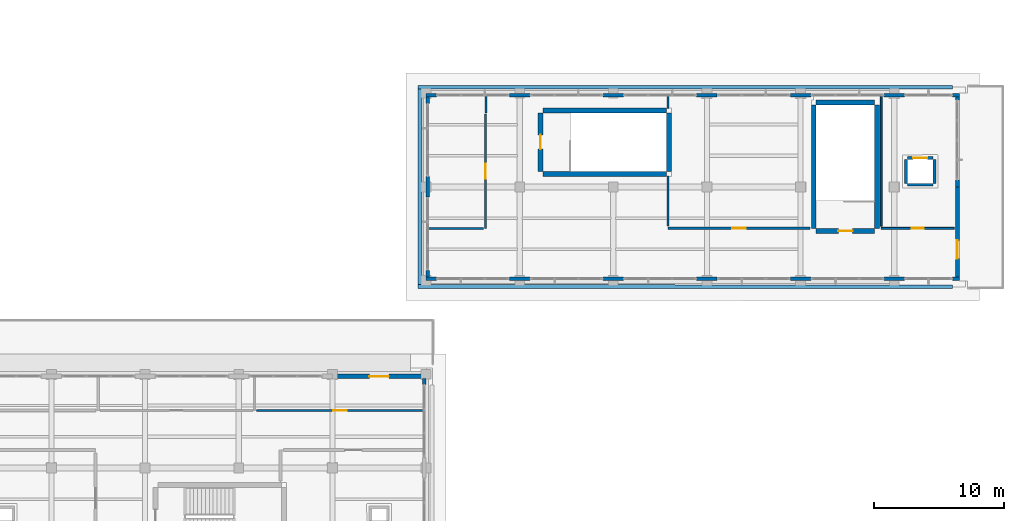
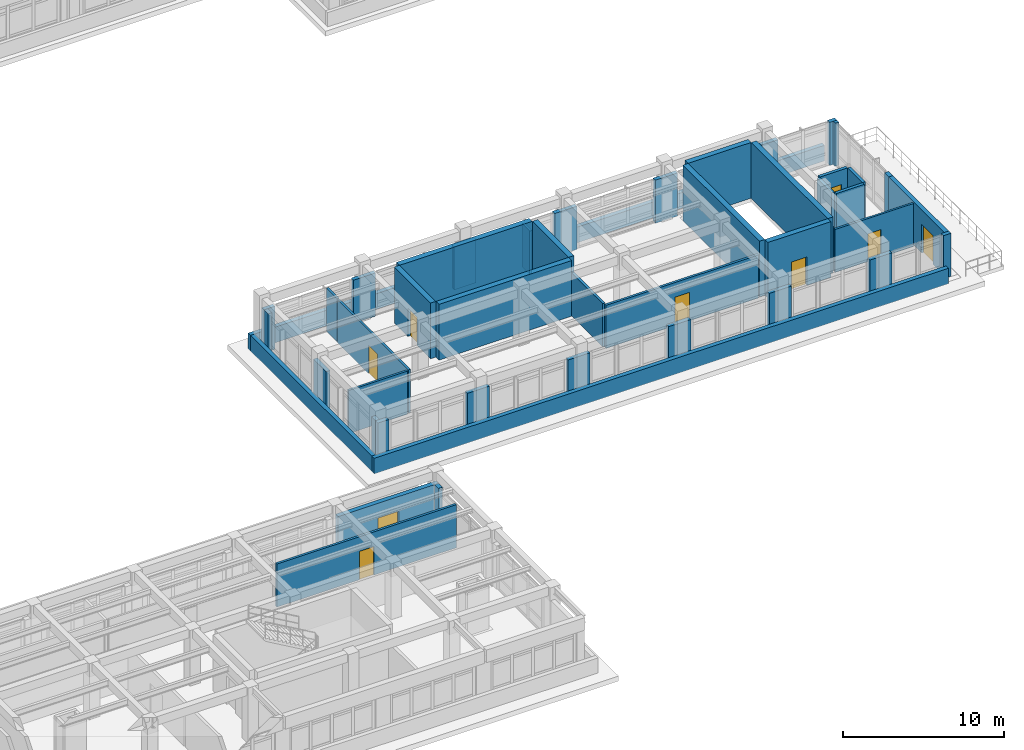
# One storey, part 48 of 64: 46 walls, 9 doors, 9 openings.
"""IFC4 building model written with IfcOpenShell, lengths in metres."""

from ifc_helpers import new_model, si_unit, direction, frame, frame_2d, origin, place, context, subcontext, project, spatial, rectangle, extrude, material, layer, layer_set, type_object, element, fill, save


model = new_model("IFC4")

# Units and contexts
model_context = context("Model", 3, precision=1e-05, world=origin(), true_north=direction((0.0, 1.0)))
body_context = subcontext(model_context, "Body", "Model", "MODEL_VIEW")
ifc_project = project(units=[si_unit("LENGTHUNIT", "METRE"), si_unit("AREAUNIT", "SQUARE_METRE"), si_unit("VOLUMEUNIT", "CUBIC_METRE"), si_unit("PLANEANGLEUNIT", "RADIAN"), si_unit("MASSUNIT", "GRAM", prefix="KILO")], contexts=[model_context])

# Site, building, storey
site_placement = place(None, origin())
site = spatial("IfcSite", under=ifc_project, at=site_placement, CompositionType="ELEMENT")
building_placement = place(site_placement, origin())
building = spatial("IfcBuilding", under=site, at=building_placement, Name="Solenvale Faculty of Natural Sciences", CompositionType="ELEMENT")
storey_placement = place(building_placement, frame((0.0, 0.0, 18.0)))
storey = spatial("IfcBuildingStorey", under=building, at=storey_placement, Name="L04", CompositionType="ELEMENT", Elevation=18.0)

# Walls
ifc_material_1 = material(Name="Architectural bronze concrete 40 MPa", Category="concrete")
ifc_layer_1 = layer(ifc_material_1, 0.300048828125)
ifc_layer_set_1 = layer_set([ifc_layer_1], Name="Architectural bronze concrete 40 MPa")
wall_type_1 = type_object("IfcWallType", Name="WL-EXT-BRZ-300", PredefinedType="STANDARD", material=ifc_layer_set_1)
wall_1_placement = place(storey_placement, frame((155.669921875, 42.72998046875, 0.0), z_axis=(0.0, 0.0, 1.0), x_axis=(-0.99999999887, 4.7533035e-05, 0.0)))
element("IfcWall", 1, at=wall_1_placement, inside=storey, type_object=wall_type_1, Name="L04 Sliding-Tray Rough Bronze Concrete Band 4", PredefinedType="PARAPET", context=body_context, shape_type="SweptSolid", body=[
    extrude(rectangle(XDim=41.08984375, YDim=0.300048828125, at=frame_2d((20.544921875, 0.0))), origin(), (0.0, 0.0, 1.0), 1.179931640625),
])
wall_2_placement = place(storey_placement, frame((114.72998046875, 42.882080078125, 0.0), z_axis=(0.0, 0.0, 1.0), x_axis=(0.000129880671, 0.999999991566, 0.0)))
element("IfcWall", 2, at=wall_2_placement, inside=storey, type_object=wall_type_1, Name="L04 Sliding-Tray Rough Bronze Concrete Band 5", PredefinedType="PARAPET", context=body_context, shape_type="SweptSolid", body=[
    extrude(rectangle(XDim=15.037841796875, YDim=0.300048828125, at=frame_2d((7.51904296875, 0.0))), origin(), (0.0, 0.0, 1.0), 1.179931640625),
])
wall_3_placement = place(storey_placement, frame((114.58203125, 58.070068359375, 0.0), z_axis=(0.0, 0.0, 1.0), x_axis=(0.99999999887, -4.7535295e-05, 0.0)))
element("IfcWall", 3, at=wall_3_placement, inside=storey, type_object=wall_type_1, Name="L04 Sliding-Tray Rough Bronze Concrete Band 6", PredefinedType="PARAPET", context=body_context, shape_type="SweptSolid", body=[
    extrude(rectangle(XDim=41.087890625, YDim=0.300048828125, at=frame_2d((20.5439453125, 0.0))), origin(), (0.0, 0.0, 1.0), 1.179931640625),
])

# Wall, opening, door
ifc_layer_2 = layer(ifc_material_1, 0.324951171875)
ifc_layer_set_2 = layer_set([ifc_layer_2], Name="Architectural bronze concrete 40 MPa")
wall_type_2 = type_object("IfcWallType", Name="WL-EXT-BRZ-325", PredefinedType="STANDARD", material=ifc_layer_set_2)
wall_4_placement = place(storey_placement, frame((108.0, 35.83740234375, 0.0), z_axis=(0.0, 0.0, 1.0), x_axis=(1.0, 0.0, 0.0)))
wall_4 = element("IfcWall", 4, at=wall_4_placement, inside=storey, type_object=wall_type_2, Name="L04 Exterior Wall 8.1", PredefinedType="STANDARD", context=body_context, shape_type="SweptSolid", body=[
    extrude(rectangle(XDim=7.199951171875, YDim=0.324951171875, at=frame_2d((3.60009765625, 0.0))), origin(), (0.0, 0.0, 1.0), 3.260009765625),
])
opening_1_placement = place(wall_4_placement, frame((2.85009765625, 0.0, 0.0)))
opening_1 = element("IfcOpeningElement", 5, at=opening_1_placement, cuts=wall_4, Name="Opening TD-42", PredefinedType="OPENING", context=body_context, shape_type="SweptSolid", body=[
    extrude(rectangle(XDim=1.5, YDim=2.14990234375, at=frame_2d((0.75, 1.074951171875))), frame((0.0, 0.17236328125, 0.0), z_axis=(0.0, -1.0, 0.0), x_axis=(1.0, 0.0, 0.0)), (0.0, 0.0, 1.0), 0.344970703125),
])
ifc_material_2 = material(Name="Anodised bronze aluminium", Category="aluminium")
door_type_1 = type_object("IfcDoorType", Name="DR-TER-1500x2150", OperationType="NOTDEFINED", PredefinedType="DOOR", material=ifc_material_2)
door_1_placement = place(opening_1_placement, origin())
door_1 = element("IfcDoor", 6, at=door_1_placement, inside=storey, type_object=door_type_1, Name="L04 Exterior Terrace Door TD-42", OperationType="DOUBLE_DOOR_SINGLE_SWING", OverallHeight=2.14990234375, OverallWidth=1.5, PredefinedType="DOOR", context=body_context, shape_type="SweptSolid", body=[
    extrude(rectangle(XDim=1.5, YDim=2.14990234375, at=frame_2d((0.75, 1.074951171875))), frame((0.0, 0.02490234375, 0.0), z_axis=(0.0, -1.0, 0.0), x_axis=(1.0, 0.0, 0.0)), (0.0, 0.0, 1.0), 0.050048828125),
])
fill(opening_1, door_1)

# Walls
ifc_material_3 = material(Name="Precast concrete 40 MPa", Category="concrete")
ifc_layer_3 = layer(ifc_material_3, 0.284912109375)
ifc_layer_set_3 = layer_set([ifc_layer_3], Name="Precast concrete 40 MPa")
wall_type_3 = type_object("IfcWallType", Name="WL-EXT-PRC-285", PredefinedType="STANDARD", material=ifc_layer_set_3)
wall_5_placement = place(storey_placement, frame((115.0576171875, 35.2119140625, 0.0), z_axis=(0.0, 0.0, 1.0), x_axis=(0.0, 1.0, 0.0)))
element("IfcWall", 7, at=wall_5_placement, inside=storey, type_object=wall_type_3, Name="L04 Facade Closure Pier 7.B3-R", PredefinedType="STANDARD", context=body_context, shape_type="SweptSolid", body=[
    extrude(rectangle(XDim=0.463134765625, YDim=0.284912109375, at=frame_2d((0.2314453125, 0.0))), origin(), (0.0, 0.0, 1.0), 3.260009765625),
])
wall_6_placement = place(storey_placement, frame((115.199951171875, 43.342529296875, 0.0), z_axis=(0.0, 0.0, 1.0), x_axis=(1.0, 0.0, 0.0)))
element("IfcWall", 8, at=wall_6_placement, inside=storey, type_object=wall_type_3, Name="L04 Facade Closure Pier 1.B1-L", PredefinedType="STANDARD", context=body_context, shape_type="SweptSolid", body=[
    extrude(rectangle(XDim=0.7880859375, YDim=0.284912109375, at=frame_2d((0.39404296875, 0.0))), origin(), (0.0, 0.0, 1.0), 3.260009765625),
])
for number, where, z_axis, x_axis, name in (
    (9, (121.612060546875, 43.342529296875, 0.0), (0.0, 0.0, 1.0), (1.0, 0.0, 0.0), "L04 Facade Closure Pier 1.B1-R"),
    (10, (128.81201171875, 43.342529296875, 0.0), (0.0, 0.0, 1.0), (1.0, 0.0, 0.0), "L04 Facade Closure Pier 1.B2-R"),
    (11, (136.011962890625, 43.342529296875, 0.0), (0.0, 0.0, 1.0), (1.0, 0.0, 0.0), "L04 Facade Closure Pier 1.B3-R"),
):
    element("IfcWall", number, at=place(storey_placement, frame(where, z_axis=z_axis, x_axis=x_axis)), inside=storey, type_object=wall_type_3, Name=name, PredefinedType="STANDARD", context=body_context, shape_type="SweptSolid", body=[
        extrude(rectangle(XDim=1.575927734375, YDim=0.284912109375, at=frame_2d((0.7880859375, 0.0))), origin(), (0.0, 0.0, 1.0), 3.260009765625),
    ])
wall_7_placement = place(storey_placement, frame((143.2119140625, 43.342529296875, 0.0), z_axis=(0.0, 0.0, 1.0), x_axis=(1.0, 0.0, 0.0)))
element("IfcWall", 12, at=wall_7_placement, inside=storey, type_object=wall_type_3, Name="L04 Facade Closure Pier 1.B4-R", PredefinedType="STANDARD", context=body_context, shape_type="SweptSolid", body=[
    extrude(rectangle(XDim=1.576171875, YDim=0.284912109375, at=frame_2d((0.7880859375, 0.0))), origin(), (0.0, 0.0, 1.0), 3.260009765625),
])
wall_8_placement = place(storey_placement, frame((150.412109375, 43.342529296875, 0.0), z_axis=(0.0, 0.0, 1.0), x_axis=(1.0, 0.0, 0.0)))
element("IfcWall", 13, at=wall_8_placement, inside=storey, type_object=wall_type_3, Name="L04 Facade Closure Pier 1.B5-R", PredefinedType="STANDARD", context=body_context, shape_type="SweptSolid", body=[
    extrude(rectangle(XDim=1.575927734375, YDim=0.284912109375, at=frame_2d((0.7880859375, 0.0))), origin(), (0.0, 0.0, 1.0), 3.260009765625),
])
for number, where, z_axis, x_axis, name in (
    (14, (155.681884765625, 43.342529296875, 0.0), (0.0, 0.0, 1.0), (1.0, 0.0, 0.0), "L04 Facade Closure Pier 1.B6-R"),
    (15, (156.0576171875, 50.39990234375, 0.0), (0.0, 0.0, 1.0), (0.0, 1.0, 0.0), "L04 Facade Closure Pier 2.B2-L"),
):
    element("IfcWall", number, at=place(storey_placement, frame(where, z_axis=z_axis, x_axis=x_axis)), inside=storey, type_object=wall_type_3, Name=name, PredefinedType="STANDARD", context=body_context, shape_type="SweptSolid", body=[
        extrude(rectangle(XDim=0.51806640625, YDim=0.284912109375, at=frame_2d((0.259033203125, 0.0))), origin(), (0.0, 0.0, 1.0), 3.260009765625),
    ])
wall_9_placement = place(storey_placement, frame((156.0576171875, 57.08203125, 0.0), z_axis=(0.0, 0.0, 1.0), x_axis=(0.0, 1.0, 0.0)))
element("IfcWall", 16, at=wall_9_placement, inside=storey, type_object=wall_type_3, Name="L04 Facade Closure Pier 2.B2-R", PredefinedType="STANDARD", context=body_context, shape_type="SweptSolid", body=[
    extrude(rectangle(XDim=0.23291015625, YDim=0.284912109375, at=frame_2d((0.116455078125, 0.0))), origin(), (0.0, 0.0, 1.0), 3.260009765625),
])
wall_10_placement = place(storey_placement, frame((156.199951171875, 57.45751953125, 0.0), z_axis=(0.0, 0.0, 1.0), x_axis=(-1.0, 0.0, 0.0)))
element("IfcWall", 17, at=wall_10_placement, inside=storey, type_object=wall_type_3, Name="L04 Facade Closure Pier 3.B1-L", PredefinedType="STANDARD", context=body_context, shape_type="SweptSolid", body=[
    extrude(rectangle(XDim=0.51806640625, YDim=0.284912109375, at=frame_2d((0.259033203125, 0.0))), origin(), (0.0, 0.0, 1.0), 3.260009765625),
])
wall_11_placement = place(storey_placement, frame((151.988037109375, 57.45751953125, 0.0), z_axis=(0.0, 0.0, 1.0), x_axis=(-1.0, 0.0, 0.0)))
element("IfcWall", 18, at=wall_11_placement, inside=storey, type_object=wall_type_3, Name="L04 Facade Closure Pier 3.B1-R", PredefinedType="STANDARD", context=body_context, shape_type="SweptSolid", body=[
    extrude(rectangle(XDim=1.575927734375, YDim=0.284912109375, at=frame_2d((0.7880859375, 0.0))), origin(), (0.0, 0.0, 1.0), 3.260009765625),
])
wall_12_placement = place(storey_placement, frame((144.7880859375, 57.45751953125, 0.0), z_axis=(0.0, 0.0, 1.0), x_axis=(-1.0, 0.0, 0.0)))
element("IfcWall", 19, at=wall_12_placement, inside=storey, type_object=wall_type_3, Name="L04 Facade Closure Pier 3.B2-R", PredefinedType="STANDARD", context=body_context, shape_type="SweptSolid", body=[
    extrude(rectangle(XDim=1.576171875, YDim=0.284912109375, at=frame_2d((0.7880859375, 0.0))), origin(), (0.0, 0.0, 1.0), 3.260009765625),
])
for number, where, z_axis, x_axis, name in (
    (20, (137.587890625, 57.45751953125, 0.0), (0.0, 0.0, 1.0), (-1.0, 0.0, 0.0), "L04 Facade Closure Pier 3.B3-R"),
    (21, (130.387939453125, 57.45751953125, 0.0), (0.0, 0.0, 1.0), (-1.0, 0.0, 0.0), "L04 Facade Closure Pier 3.B4-R"),
    (22, (123.18798828125, 57.45751953125, 0.0), (0.0, 0.0, 1.0), (-1.0, 0.0, 0.0), "L04 Facade Closure Pier 3.B5-R"),
):
    element("IfcWall", number, at=place(storey_placement, frame(where, z_axis=z_axis, x_axis=x_axis)), inside=storey, type_object=wall_type_3, Name=name, PredefinedType="STANDARD", context=body_context, shape_type="SweptSolid", body=[
        extrude(rectangle(XDim=1.575927734375, YDim=0.284912109375, at=frame_2d((0.7880859375, 0.0))), origin(), (0.0, 0.0, 1.0), 3.260009765625),
    ])
wall_13_placement = place(storey_placement, frame((115.988037109375, 57.45751953125, 0.0), z_axis=(0.0, 0.0, 1.0), x_axis=(-1.0, 0.0, 0.0)))
element("IfcWall", 23, at=wall_13_placement, inside=storey, type_object=wall_type_3, Name="L04 Facade Closure Pier 3.B6-R", PredefinedType="STANDARD", context=body_context, shape_type="SweptSolid", body=[
    extrude(rectangle(XDim=0.7880859375, YDim=0.284912109375, at=frame_2d((0.39404296875, 0.0))), origin(), (0.0, 0.0, 1.0), 3.260009765625),
])
wall_14_placement = place(storey_placement, frame((115.342529296875, 57.31494140625, 0.0), z_axis=(0.0, 0.0, 1.0), x_axis=(0.0, -1.0, 0.0)))
element("IfcWall", 24, at=wall_14_placement, inside=storey, type_object=wall_type_3, Name="L04 Facade Closure Pier 4.B1-L", PredefinedType="STANDARD", context=body_context, shape_type="SweptSolid", body=[
    extrude(rectangle(XDim=0.5029296875, YDim=0.284912109375, at=frame_2d((0.25146484375, 0.0))), origin(), (0.0, 0.0, 1.0), 3.260009765625),
])
wall_15_placement = place(storey_placement, frame((115.342529296875, 51.18798828125, 0.0), z_axis=(0.0, 0.0, 1.0), x_axis=(0.0, -1.0, 0.0)))
element("IfcWall", 25, at=wall_15_placement, inside=storey, type_object=wall_type_3, Name="L04 Facade Closure Pier 4.B1-R", PredefinedType="STANDARD", context=body_context, shape_type="SweptSolid", body=[
    extrude(rectangle(XDim=1.575927734375, YDim=0.284912109375, at=frame_2d((0.7880859375, 0.0))), origin(), (0.0, 0.0, 1.0), 3.260009765625),
])
wall_16_placement = place(storey_placement, frame((115.342529296875, 43.988037109375, 0.0), z_axis=(0.0, 0.0, 1.0), x_axis=(0.0, -1.0, 0.0)))
element("IfcWall", 26, at=wall_16_placement, inside=storey, type_object=wall_type_3, Name="L04 Facade Closure Pier 4.B2-R", PredefinedType="STANDARD", context=body_context, shape_type="SweptSolid", body=[
    extrude(rectangle(XDim=0.5029296875, YDim=0.284912109375, at=frame_2d((0.25146484375, 0.0))), origin(), (0.0, 0.0, 1.0), 3.260009765625),
])

# Wall, opening, door
ifc_layer_4 = layer(ifc_material_3, 0.304931640625)
ifc_layer_set_4 = layer_set([ifc_layer_4], Name="Precast concrete 40 MPa")
wall_type_4 = type_object("IfcWallType", Name="WL-EXT-PRC-305", PredefinedType="STANDARD", material=ifc_layer_set_4)
wall_17_placement = place(storey_placement, frame((156.047607421875, 50.39990234375, 0.0), z_axis=(0.0, 0.0, 1.0), x_axis=(0.0, -1.0, 0.0)))
wall_17 = element("IfcWall", 27, at=wall_17_placement, inside=storey, type_object=wall_type_4, Name="L04 Exterior Wall 2.1", PredefinedType="STANDARD", context=body_context, shape_type="SweptSolid", body=[
    extrude(rectangle(XDim=6.914794921875, YDim=0.304931640625, at=frame_2d((3.45751953125, 0.0))), origin(), (0.0, 0.0, 1.0), 3.260009765625),
])
opening_2_placement = place(wall_17_placement, frame((4.10791015625, 0.0, 0.0)))
opening_2 = element("IfcOpeningElement", 28, at=opening_2_placement, cuts=wall_17, Name="Opening TD-43", PredefinedType="OPENING", context=body_context, shape_type="SweptSolid", body=[
    extrude(rectangle(XDim=1.39990234375, YDim=2.14990234375, at=frame_2d((0.699951171875, 1.074951171875))), frame((0.0, 0.162353515625, 0.0), z_axis=(0.0, -1.0, 0.0), x_axis=(1.0, 0.0, 0.0)), (0.0, 0.0, 1.0), 0.324951171875),
])
door_type_2 = type_object("IfcDoorType", Name="DR-TER-1400x2150", OperationType="NOTDEFINED", PredefinedType="DOOR", material=ifc_material_2)
door_2_placement = place(opening_2_placement, origin())
door_2 = element("IfcDoor", 29, at=door_2_placement, inside=storey, type_object=door_type_2, Name="L04 Exterior Terrace Door TD-43", OperationType="DOUBLE_DOOR_SINGLE_SWING", OverallHeight=2.14990234375, OverallWidth=1.39990234375, PredefinedType="DOOR", context=body_context, shape_type="SweptSolid", body=[
    extrude(rectangle(XDim=1.39990234375, YDim=2.14990234375, at=frame_2d((0.699951171875, 1.074951171875))), frame((0.0, 0.02490234375, 0.0), z_axis=(0.0, -1.0, 0.0), x_axis=(1.0, 0.0, 0.0)), (0.0, 0.0, 1.0), 0.050048828125),
])
fill(opening_2, door_2)

ifc_material_4 = material(Name="Acoustic stud gypsum partition")
ifc_layer_5 = layer(ifc_material_4, 0.14794921875)
ifc_layer_set_5 = layer_set([ifc_layer_5], Name="Acoustic stud gypsum partition")
wall_type_5 = type_object("IfcWallType", Name="WL-OFF-148", PredefinedType="PARTITIONING", material=ifc_layer_set_5)
wall_18_placement = place(storey_placement, frame((155.80908203125, 47.219970703125, 0.0), z_axis=(0.0, 0.0, 1.0), x_axis=(-1.0, 0.0, 0.0)))
wall_18 = element("IfcWall", 30, at=wall_18_placement, inside=storey, type_object=wall_type_5, Name="L04 Faculty Staff Office Partition 2", PredefinedType="PARTITIONING", context=body_context, shape_type="SweptSolid", body=[
    extrude(rectangle(XDim=5.609130859375, YDim=0.14794921875, at=frame_2d((2.8046875, 0.0))), origin(), (0.0, 0.0, 1.0), 3.260009765625),
])
opening_3_placement = place(wall_18_placement, frame((2.344970703125, 0.0, 0.0)))
opening_3 = element("IfcOpeningElement", 31, at=opening_3_placement, cuts=wall_18, Name="Opening D-L04-12", PredefinedType="OPENING", context=body_context, shape_type="SweptSolid", body=[
    extrude(rectangle(XDim=0.919921875, YDim=2.10009765625, at=frame_2d((0.4599609375, 1.050048828125))), frame((0.0, 0.083984375, 0.0), z_axis=(0.0, -1.0, 0.0), x_axis=(1.0, 0.0, 0.0)), (0.0, 0.0, 1.0), 0.16796875),
])
ifc_material_5 = material(Name="Oak acoustic timber leaf", Category="wood")
door_type_3 = type_object("IfcDoorType", Name="DR-OFF-0920x2100", OperationType="NOTDEFINED", PredefinedType="DOOR", material=ifc_material_5)
door_3_placement = place(opening_3_placement, origin())
door_3 = element("IfcDoor", 32, at=door_3_placement, inside=storey, type_object=door_type_3, Name="L04 Faculty Staff Office Door", OperationType="SINGLE_SWING_RIGHT", OverallHeight=2.10009765625, OverallWidth=0.919921875, PredefinedType="DOOR", context=body_context, shape_type="SweptSolid", body=[
    extrude(rectangle(XDim=0.919921875, YDim=2.10009765625, at=frame_2d((0.4599609375, 1.050048828125))), frame((0.0, 0.02490234375, 0.0), z_axis=(0.0, -1.0, 0.0), x_axis=(1.0, 0.0, 0.0)), (0.0, 0.0, 1.0), 0.050048828125),
])
fill(opening_3, door_3)

# Wall
wall_19_placement = place(storey_placement, frame((150.199951171875, 47.3798828125, 0.0), z_axis=(0.0, 0.0, 1.0), x_axis=(0.0, 1.0, 0.0)))
element("IfcWall", 33, at=wall_19_placement, inside=storey, type_object=wall_type_5, Name="L04 Faculty Staff Office Partition 3", PredefinedType="PARTITIONING", context=body_context, shape_type="SweptSolid", body=[
    extrude(rectangle(XDim=10.0380859375, YDim=0.14794921875, at=frame_2d((5.01904296875, 0.0))), origin(), (0.0, 0.0, 1.0), 3.260009765625),
])

# Wall, opening, door
ifc_material_6 = material(Name="Acoustic double-stud gypsum partition")
ifc_layer_6 = layer(ifc_material_6, 0.155029296875)
ifc_layer_set_6 = layer_set([ifc_layer_6], Name="Acoustic double-stud gypsum partition")
wall_type_6 = type_object("IfcWallType", Name="WL-SEM-155", PredefinedType="PARTITIONING", material=ifc_layer_set_6)
wall_20_placement = place(storey_placement, frame((119.780029296875, 56.0, 0.0), z_axis=(0.0, 0.0, 1.0), x_axis=(0.0, -1.0, 0.0)))
wall_20 = element("IfcWall", 34, at=wall_20_placement, inside=storey, type_object=wall_type_6, Name="L04 Learning Commons Partition 16", PredefinedType="PARTITIONING", context=body_context, shape_type="SweptSolid", body=[
    extrude(rectangle(XDim=8.780029296875, YDim=0.155029296875, at=frame_2d((4.39013671875, 0.0))), origin(), (0.0, 0.0, 1.0), 3.260009765625),
])
opening_4_placement = place(wall_20_placement, frame((3.830078125, 0.0, 0.0)))
opening_4 = element("IfcOpeningElement", 35, at=opening_4_placement, cuts=wall_20, Name="Opening D-L04-10", PredefinedType="OPENING", context=body_context, shape_type="SweptSolid", body=[
    extrude(rectangle(XDim=1.1201171875, YDim=2.14990234375, at=frame_2d((0.56005859375, 1.074951171875))), frame((0.0, 0.08740234375, 0.0), z_axis=(0.0, -1.0, 0.0), x_axis=(1.0, 0.0, 0.0)), (0.0, 0.0, 1.0), 0.175048828125),
])
door_type_4 = type_object("IfcDoorType", Name="DR-SEM-1120x2150", OperationType="NOTDEFINED", PredefinedType="DOOR", material=ifc_material_5)
door_4_placement = place(opening_4_placement, origin())
door_4 = element("IfcDoor", 36, at=door_4_placement, inside=storey, type_object=door_type_4, Name="L04 Learning Commons Door", OperationType="SINGLE_SWING_RIGHT", OverallHeight=2.14990234375, OverallWidth=1.1201171875, PredefinedType="DOOR", context=body_context, shape_type="SweptSolid", body=[
    extrude(rectangle(XDim=1.1201171875, YDim=2.14990234375, at=frame_2d((0.56005859375, 1.074951171875))), frame((0.0, 0.02490234375, 0.0), z_axis=(0.0, -1.0, 0.0), x_axis=(1.0, 0.0, 0.0)), (0.0, 0.0, 1.0), 0.050048828125),
])
fill(opening_4, door_4)

# Walls
wall_21_placement = place(storey_placement, frame((119.613037109375, 47.219970703125, 0.0), z_axis=(0.0, 0.0, 1.0), x_axis=(-1.0, 0.0, 0.0)))
element("IfcWall", 37, at=wall_21_placement, inside=storey, type_object=wall_type_6, Name="L04 Learning Commons Partition 17", PredefinedType="PARTITIONING", context=body_context, shape_type="SweptSolid", body=[
    extrude(rectangle(XDim=4.22998046875, YDim=0.155029296875, at=frame_2d((2.114990234375, 0.0))), origin(), (0.0, 0.0, 1.0), 3.260009765625),
])
wall_22_placement = place(storey_placement, frame((119.800048828125, 57.41796875, 0.0), z_axis=(0.0, 0.0, 1.0), x_axis=(0.0, -1.0, 0.0)))
element("IfcWall", 38, at=wall_22_placement, inside=storey, type_object=wall_type_6, Name="L04 Learning Commons Partition 20", PredefinedType="PARTITIONING", context=body_context, shape_type="SweptSolid", body=[
    extrude(rectangle(XDim=1.327880859375, YDim=0.155029296875, at=frame_2d((0.6640625, 0.0))), origin(), (0.0, 0.0, 1.0), 3.260009765625),
])

# Wall, opening, door
ifc_layer_7 = layer(ifc_material_6, 0.169921875)
ifc_layer_set_7 = layer_set([ifc_layer_7], Name="Acoustic double-stud gypsum partition")
wall_type_7 = type_object("IfcWallType", Name="WL-SEM-170", PredefinedType="PARTITIONING", material=ifc_layer_set_7)
wall_23_placement = place(storey_placement, frame((115.01708984375, 33.219970703125, 0.0), z_axis=(0.0, 0.0, 1.0), x_axis=(-1.0, 0.0, 0.0)))
wall_23 = element("IfcWall", 39, at=wall_23_placement, inside=storey, type_object=wall_type_7, Name="L04 Seminar Room Partition 4", PredefinedType="PARTITIONING", context=body_context, shape_type="SweptSolid", body=[
    extrude(rectangle(XDim=12.858154296875, YDim=0.169921875, at=frame_2d((6.42919921875, 0.0))), origin(), (0.0, 0.0, 1.0), 3.260009765625),
])
opening_5_placement = place(wall_23_placement, frame((5.904052734375, 0.0, 0.0)))
opening_5 = element("IfcOpeningElement", 40, at=opening_5_placement, cuts=wall_23, Name="Opening D-L04-07", PredefinedType="OPENING", context=body_context, shape_type="SweptSolid", body=[
    extrude(rectangle(XDim=1.050048828125, YDim=2.14990234375, at=frame_2d((0.52490234375, 1.074951171875))), frame((0.0, 0.094970703125, 0.0), z_axis=(0.0, -1.0, 0.0), x_axis=(1.0, 0.0, 0.0)), (0.0, 0.0, 1.0), 0.18994140625),
])
door_type_5 = type_object("IfcDoorType", Name="DR-SEM-1050x2150", OperationType="NOTDEFINED", PredefinedType="DOOR", material=ifc_material_5)
door_5_placement = place(opening_5_placement, origin())
door_5 = element("IfcDoor", 41, at=door_5_placement, inside=storey, type_object=door_type_5, Name="L04 Seminar Room Door", OperationType="SINGLE_SWING_LEFT", OverallHeight=2.14990234375, OverallWidth=1.050048828125, PredefinedType="DOOR", context=body_context, shape_type="SweptSolid", body=[
    extrude(rectangle(XDim=1.050048828125, YDim=2.14990234375, at=frame_2d((0.52490234375, 1.074951171875))), frame((0.0, 0.02490234375, 0.0), z_axis=(0.0, -1.0, 0.0), x_axis=(1.0, 0.0, 0.0)), (0.0, 0.0, 1.0), 0.050048828125),
])
fill(opening_5, door_5)

wall_24_placement = place(storey_placement, frame((144.722900390625, 47.219970703125, 0.0), z_axis=(0.0, 0.0, 1.0), x_axis=(-1.0, 0.0, 0.0)))
wall_24 = element("IfcWall", 42, at=wall_24_placement, inside=storey, type_object=wall_type_7, Name="L04 Science Library Reference Reading Hall Partition 7", PredefinedType="PARTITIONING", context=body_context, shape_type="SweptSolid", body=[
    extrude(rectangle(XDim=10.9228515625, YDim=0.169921875, at=frame_2d((5.46142578125, 0.0))), origin(), (0.0, 0.0, 1.0), 3.260009765625),
])
opening_6_placement = place(wall_24_placement, frame((4.93701171875, 0.0, 0.0)))
opening_6 = element("IfcOpeningElement", 43, at=opening_6_placement, cuts=wall_24, Name="Opening D-L04-11", PredefinedType="OPENING", context=body_context, shape_type="SweptSolid", body=[
    extrude(rectangle(XDim=1.050048828125, YDim=2.14990234375, at=frame_2d((0.52490234375, 1.074951171875))), frame((0.0, 0.094970703125, 0.0), z_axis=(0.0, -1.0, 0.0), x_axis=(1.0, 0.0, 0.0)), (0.0, 0.0, 1.0), 0.18994140625),
])
door_6_placement = place(opening_6_placement, origin())
door_6 = element("IfcDoor", 44, at=door_6_placement, inside=storey, type_object=door_type_5, Name="L04 Science Library Reference Reading Hall Door", OperationType="SINGLE_SWING_LEFT", OverallHeight=2.14990234375, OverallWidth=1.050048828125, PredefinedType="DOOR", context=body_context, shape_type="SweptSolid", body=[
    extrude(rectangle(XDim=1.050048828125, YDim=2.14990234375, at=frame_2d((0.52490234375, 1.074951171875))), frame((0.0, 0.02490234375, 0.0), z_axis=(0.0, -1.0, 0.0), x_axis=(1.0, 0.0, 0.0)), (0.0, 0.0, 1.0), 0.050048828125),
])
fill(opening_6, door_6)

# Walls
wall_25_placement = place(storey_placement, frame((133.800048828125, 47.402099609375, 0.0), z_axis=(0.0, 0.0, 1.0), x_axis=(0.0, 1.0, 0.0)))
element("IfcWall", 45, at=wall_25_placement, inside=storey, type_object=wall_type_7, Name="L04 Science Library Reference Reading Hall Partition 8", PredefinedType="PARTITIONING", context=body_context, shape_type="SweptSolid", body=[
    extrude(rectangle(XDim=3.847900390625, YDim=0.169921875, at=frame_2d((1.923828125, 0.0))), origin(), (0.0, 0.0, 1.0), 3.260009765625),
])
wall_26_placement = place(storey_placement, frame((133.800048828125, 56.449951171875, 0.0), z_axis=(0.0, 0.0, 1.0), x_axis=(0.0, 1.0, 0.0)))
element("IfcWall", 46, at=wall_26_placement, inside=storey, type_object=wall_type_7, Name="L04 Science Library Reference Reading Hall Partition 34", PredefinedType="PARTITIONING", context=body_context, shape_type="SweptSolid", body=[
    extrude(rectangle(XDim=0.968017578125, YDim=0.169921875, at=frame_2d((0.48388671875, 0.0))), origin(), (0.0, 0.0, 1.0), 3.260009765625),
])
ifc_material_7 = material(Name="Concrete 40 MPa", Category="concrete")
ifc_layer_8 = layer(ifc_material_7, 0.219970703125)
ifc_layer_set_8 = layer_set([ifc_layer_8], Name="Concrete 40 MPa")
wall_type_8 = type_object("IfcWallType", Name="WL-SHF-220", PredefinedType="STANDARD", material=ifc_layer_set_8)
wall_27_placement = place(storey_placement, frame((152.205078125, 50.570068359375, 0.0), z_axis=(0.0, 0.0, 1.0), x_axis=(1.0, 0.0, 0.0)))
element("IfcWall", 47, at=wall_27_placement, inside=storey, type_object=wall_type_8, Name="Elevator LP-02 L04 Shaft Wall S", PredefinedType="STANDARD", context=body_context, shape_type="SweptSolid", body=[
    extrude(rectangle(XDim=1.989990234375, YDim=0.219970703125, at=frame_2d((0.9951171875, 0.0))), origin(), (0.0, 0.0, 1.0), 3.260009765625),
])

# Wall, opening, door
wall_28_placement = place(storey_placement, frame((152.205078125, 52.6298828125, 0.0), z_axis=(0.0, 0.0, 1.0), x_axis=(1.0, 0.0, 0.0)))
wall_28 = element("IfcWall", 48, at=wall_28_placement, inside=storey, type_object=wall_type_8, Name="Elevator LP-02 L04 Shaft Wall N", PredefinedType="STANDARD", context=body_context, shape_type="SweptSolid", body=[
    extrude(rectangle(XDim=1.989990234375, YDim=0.219970703125, at=frame_2d((0.9951171875, 0.0))), origin(), (0.0, 0.0, 1.0), 3.260009765625),
])
opening_7_placement = place(wall_28_placement, frame((0.445068359375, 0.0, 0.0)))
opening_7 = element("IfcOpeningElement", 49, at=opening_7_placement, cuts=wall_28, Name="Opening LD-LP-02-L04", PredefinedType="OPENING", context=body_context, shape_type="SweptSolid", body=[
    extrude(rectangle(XDim=1.10009765625, YDim=2.14990234375, at=frame_2d((0.550048828125, 1.074951171875))), frame((0.0, 0.119873046875, 0.0), z_axis=(0.0, -1.0, 0.0), x_axis=(1.0, 0.0, 0.0)), (0.0, 0.0, 1.0), 0.239990234375),
])
ifc_material_8 = material(Name="Stainless steel Grade 304", Category="steel")
door_type_6 = type_object("IfcDoorType", Name="DR-LIFT-1100x2150", OperationType="NOTDEFINED", PredefinedType="DOOR", material=ifc_material_8)
door_7_placement = place(opening_7_placement, origin())
door_7 = element("IfcDoor", 50, at=door_7_placement, inside=storey, type_object=door_type_6, Name="Elevator LP-02 L04 Sliding Landing Door", OperationType="SLIDING_TO_RIGHT", OverallHeight=2.14990234375, OverallWidth=1.10009765625, PredefinedType="DOOR", context=body_context, shape_type="SweptSolid", body=[
    extrude(rectangle(XDim=1.10009765625, YDim=2.14990234375, at=frame_2d((0.550048828125, 1.074951171875))), frame((0.0, 0.02490234375, 0.0), z_axis=(0.0, -1.0, 0.0), x_axis=(1.0, 0.0, 0.0)), (0.0, 0.0, 1.0), 0.050048828125),
])
fill(opening_7, door_7)

# Walls
for number, where, z_axis, x_axis, name in (
    (51, (152.094970703125, 50.679931640625, 0.0), (0.0, 0.0, 1.0), (0.0, 1.0, 0.0), "Elevator LP-02 L04 Shaft Wall W"),
    (52, (154.304931640625, 50.679931640625, 0.0), (0.0, 0.0, 1.0), (0.0, 1.0, 0.0), "Elevator LP-02 L04 Shaft Wall E"),
):
    element("IfcWall", number, at=place(storey_placement, frame(where, z_axis=z_axis, x_axis=x_axis)), inside=storey, type_object=wall_type_8, Name=name, PredefinedType="STANDARD", context=body_context, shape_type="SweptSolid", body=[
        extrude(rectangle(XDim=1.840087890625, YDim=0.219970703125, at=frame_2d((0.919921875, 0.0))), origin(), (0.0, 0.0, 1.0), 3.260009765625),
    ])

# Wall, opening, door
ifc_material_9 = material(Name="Concrete 50 MPa", Category="concrete")
ifc_layer_9 = layer(ifc_material_9, 0.3798828125)
ifc_layer_set_9 = layer_set([ifc_layer_9], Name="Concrete 50 MPa")
wall_type_9 = type_object("IfcWallType", Name="WL-SHR-380", PredefinedType="SHEAR", material=ifc_layer_set_9)
wall_29_placement = place(storey_placement, frame((145.199951171875, 47.010009765625, 0.0), z_axis=(0.0, 0.0, 1.0), x_axis=(1.0, 0.0, 0.0)))
wall_29 = element("IfcWall", 53, at=wall_29_placement, inside=storey, type_object=wall_type_9, Name="Core C2 L04 Shear Wall S", PredefinedType="SHEAR", context=body_context, shape_type="SweptSolid", body=[
    extrude(rectangle(XDim=4.5, YDim=0.3798828125, at=frame_2d((2.25, 0.0))), origin(), (0.0, 0.0, 1.0), 4.219970703125),
])
opening_8_placement = place(wall_29_placement, frame((1.699951171875, 0.0, 0.0)))
opening_8 = element("IfcOpeningElement", 54, at=opening_8_placement, cuts=wall_29, Name="Opening DS-C2-L04", PredefinedType="OPENING", context=body_context, shape_type="SweptSolid", body=[
    extrude(rectangle(XDim=1.10009765625, YDim=2.14990234375, at=frame_2d((0.550048828125, 1.074951171875))), frame((0.0, 0.199951171875, 0.0), z_axis=(0.0, -1.0, 0.0), x_axis=(1.0, 0.0, 0.0)), (0.0, 0.0, 1.0), 0.39990234375),
])
ifc_material_10 = material(Name="Galvanised steel S355", Category="steel")
door_type_7 = type_object("IfcDoorType", Name="DR-STAIR-1100x2150", OperationType="NOTDEFINED", PredefinedType="DOOR", material=ifc_material_10)
door_8_placement = place(opening_8_placement, origin())
door_8 = element("IfcDoor", 55, at=door_8_placement, inside=storey, type_object=door_type_7, Name="L04 Stair ST-02 Fire Door", OperationType="SINGLE_SWING_RIGHT", OverallHeight=2.14990234375, OverallWidth=1.10009765625, PredefinedType="DOOR", context=body_context, shape_type="SweptSolid", body=[
    extrude(rectangle(XDim=1.10009765625, YDim=2.14990234375, at=frame_2d((0.550048828125, 1.074951171875))), frame((0.0, 0.02490234375, 0.0), z_axis=(0.0, -1.0, 0.0), x_axis=(1.0, 0.0, 0.0)), (0.0, 0.0, 1.0), 0.050048828125),
])
fill(opening_8, door_8)

# Walls
wall_30_placement = place(storey_placement, frame((145.199951171875, 56.889892578125, 0.0), z_axis=(0.0, 0.0, 1.0), x_axis=(1.0, 0.0, 0.0)))
element("IfcWall", 56, at=wall_30_placement, inside=storey, type_object=wall_type_9, Name="Core C2 L04 Shear Wall N", PredefinedType="SHEAR", context=body_context, shape_type="SweptSolid", body=[
    extrude(rectangle(XDim=4.5, YDim=0.3798828125, at=frame_2d((2.25, 0.0))), origin(), (0.0, 0.0, 1.0), 4.219970703125),
])
for number, where, z_axis, x_axis, name in (
    (57, (145.010009765625, 47.199951171875, 0.0), (0.0, 0.0, 1.0), (0.0, 1.0, 0.0), "Core C2 L04 Shear Wall W"),
    (58, (149.889892578125, 47.199951171875, 0.0), (0.0, 0.0, 1.0), (0.0, 1.0, 0.0), "Core C2 L04 Shear Wall E"),
    (59, (124.199951171875, 51.409912109375, 0.0), (0.0, 0.0, 1.0), (1.0, 0.0, 0.0), "Core C2B L04 Shear Wall S"),
    (60, (124.199951171875, 56.2900390625, 0.0), (0.0, 0.0, 1.0), (1.0, 0.0, 0.0), "Core C2B L04 Shear Wall N"),
):
    element("IfcWall", number, at=place(storey_placement, frame(where, z_axis=z_axis, x_axis=x_axis)), inside=storey, type_object=wall_type_9, Name=name, PredefinedType="SHEAR", context=body_context, shape_type="SweptSolid", body=[
        extrude(rectangle(XDim=9.5, YDim=0.3798828125, at=frame_2d((4.75, 0.0))), origin(), (0.0, 0.0, 1.0), 4.219970703125),
    ])

# Wall, opening, door
wall_31_placement = place(storey_placement, frame((124.010009765625, 51.60009765625, 0.0), z_axis=(0.0, 0.0, 1.0), x_axis=(0.0, 1.0, 0.0)))
wall_31 = element("IfcWall", 61, at=wall_31_placement, inside=storey, type_object=wall_type_9, Name="Core C2B L04 Shear Wall W", PredefinedType="SHEAR", context=body_context, shape_type="SweptSolid", body=[
    extrude(rectangle(XDim=4.5, YDim=0.3798828125, at=frame_2d((2.25, 0.0))), origin(), (0.0, 0.0, 1.0), 4.219970703125),
])
opening_9_placement = place(wall_31_placement, frame((1.699951171875, 0.0, 0.0)))
opening_9 = element("IfcOpeningElement", 62, at=opening_9_placement, cuts=wall_31, Name="Opening DS-C2B-L04", PredefinedType="OPENING", context=body_context, shape_type="SweptSolid", body=[
    extrude(rectangle(XDim=1.10009765625, YDim=2.14990234375, at=frame_2d((0.550048828125, 1.074951171875))), frame((0.0, 0.199951171875, 0.0), z_axis=(0.0, -1.0, 0.0), x_axis=(1.0, 0.0, 0.0)), (0.0, 0.0, 1.0), 0.39990234375),
])
door_9_placement = place(opening_9_placement, origin())
door_9 = element("IfcDoor", 63, at=door_9_placement, inside=storey, type_object=door_type_7, Name="L04 Stair ST-08 Fire Door", OperationType="SINGLE_SWING_RIGHT", OverallHeight=2.14990234375, OverallWidth=1.10009765625, PredefinedType="DOOR", context=body_context, shape_type="SweptSolid", body=[
    extrude(rectangle(XDim=1.10009765625, YDim=2.14990234375, at=frame_2d((0.550048828125, 1.074951171875))), frame((0.0, 0.02490234375, 0.0), z_axis=(0.0, -1.0, 0.0), x_axis=(1.0, 0.0, 0.0)), (0.0, 0.0, 1.0), 0.050048828125),
])
fill(opening_9, door_9)

# Wall
wall_32_placement = place(storey_placement, frame((133.889892578125, 51.60009765625, 0.0), z_axis=(0.0, 0.0, 1.0), x_axis=(0.0, 1.0, 0.0)))
element("IfcWall", 64, at=wall_32_placement, inside=storey, type_object=wall_type_9, Name="Core C2B L04 Shear Wall E", PredefinedType="SHEAR", context=body_context, shape_type="SweptSolid", body=[
    extrude(rectangle(XDim=4.5, YDim=0.3798828125, at=frame_2d((2.25, 0.0))), origin(), (0.0, 0.0, 1.0), 4.219970703125),
])

save(model, "model.ifc")
